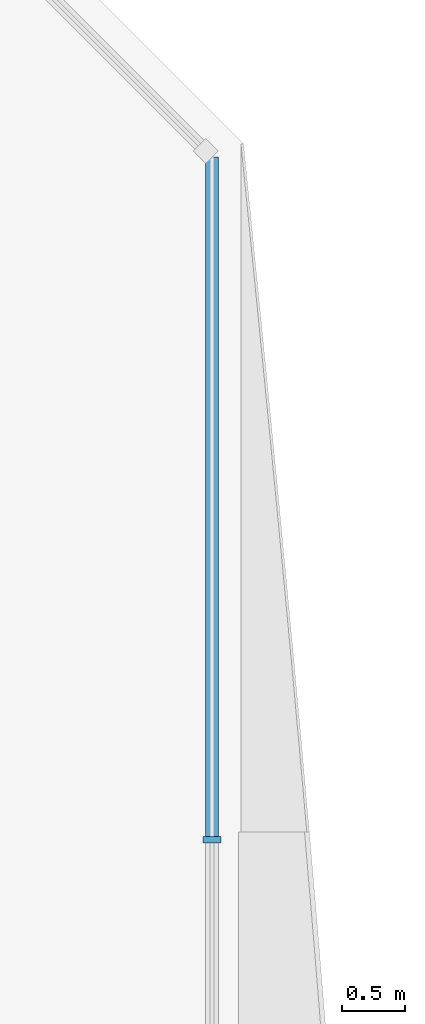
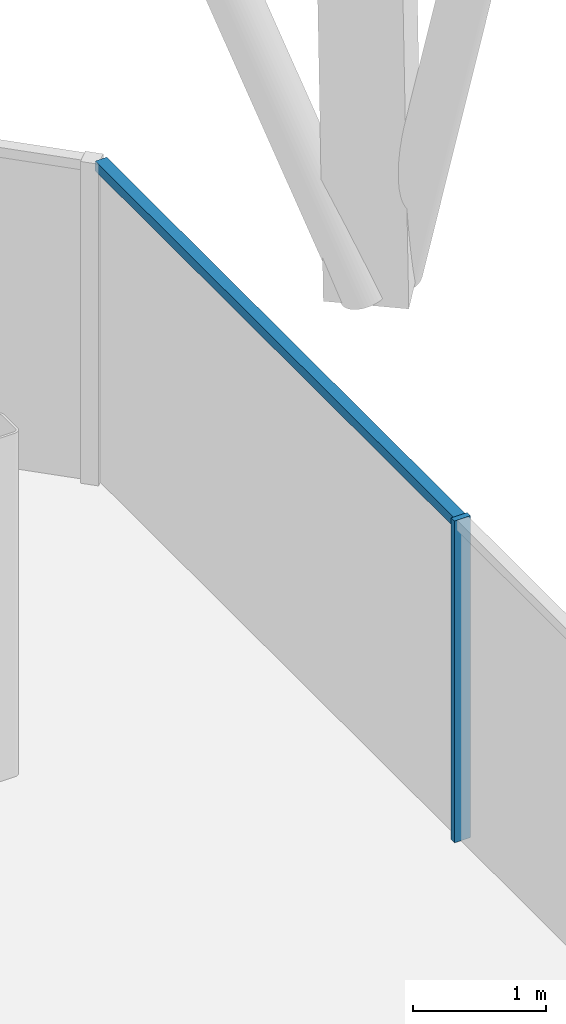
# One storey, part 8 of 18: 2 members, 1 element without a shape of its own.
"""IFC4 building model written with IfcOpenShell, lengths in metres."""

from ifc_helpers import new_model, si_unit, direction, frame, origin, origin_2d, place, context, subcontext, project, spatial, rectangle, extrude, material, material_profile, profile_set, type_object, element, aggregate, save


model = new_model("IFC4")

# Units and contexts
model_context = context("Model", 3, precision=1e-05, world=origin(), true_north=direction((0.0, 1.0)))
body_context = subcontext(model_context, "Body", "Model", "MODEL_VIEW")
ifc_project = project(units=[si_unit("LENGTHUNIT", "METRE"), si_unit("AREAUNIT", "SQUARE_METRE"), si_unit("VOLUMEUNIT", "CUBIC_METRE"), si_unit("PLANEANGLEUNIT", "RADIAN"), si_unit("MASSUNIT", "GRAM", prefix="KILO")], contexts=[model_context])

# Site, building, storey
site_placement = place(None, origin())
site = spatial("IfcSite", under=ifc_project, at=site_placement, CompositionType="ELEMENT")
building_placement = place(site_placement, origin())
building = spatial("IfcBuilding", under=site, at=building_placement, Name="Tskaro Facet Tower", CompositionType="ELEMENT")
storey_placement = place(building_placement, frame((0.0, 0.0, 217.199951171875)))
storey = spatial("IfcBuildingStorey", under=building, at=storey_placement, Name="L55", CompositionType="ELEMENT", Elevation=217.199951171875)

# Curtain wall, members
ifc_material = material(Name="Bronze anodised aluminium 6063-T6", Category="aluminium")
curtain_wall_type = type_object("IfcCurtainWallType", Name="Bronze residence curtain wall (FW3)", PredefinedType="NOTDEFINED", material=ifc_material)
curtain_wall_placement = place(storey_placement, origin())
curtain_wall = element("IfcCurtainWall", 1, at=curtain_wall_placement, inside=storey, type_object=curtain_wall_type, Name="FW3 east facet L55", PredefinedType="NOTDEFINED")
ifc_material_profile_1 = material_profile(ifc_material, rectangle(XDim=0.050048828125, YDim=0.139892578125, at=origin_2d()), Name="Mullion 50x140")
ifc_profile_set_1 = profile_set([ifc_material_profile_1], Name="Bronze anodised aluminium 6063-T6")
member_type_1 = type_object("IfcMemberType", Name="FW3 bronze mullion 50x140", PredefinedType="MULLION", material=ifc_profile_set_1)
member_1_placement = place(storey_placement, frame((15.985107421875, 6.2001953125, 0.0), z_axis=(0.0, 0.0, 1.0), x_axis=(0.0, 1.0, 0.0)))
member_1 = element("IfcMember", 2, at=member_1_placement, type_object=member_type_1, Name="FW3 east mullion 4", PredefinedType="MULLION", context=body_context, shape_type="SweptSolid", body=[
    extrude(rectangle(XDim=0.050048828125, YDim=0.139892578125, at=origin_2d()), origin(), (0.0, 0.0, 1.0), 2.949951171875),
])
ifc_material_profile_2 = material_profile(ifc_material, rectangle(XDim=0.10009765625, YDim=0.090087890625, at=origin_2d()), Name="Transom 100x90")
ifc_profile_set_2 = profile_set([ifc_material_profile_2], Name="Bronze anodised aluminium 6063-T6")
member_type_2 = type_object("IfcMemberType", Name="FW3 bronze transom 100x90", PredefinedType="USERDEFINED", material=ifc_profile_set_2)
member_2_placement = place(storey_placement, frame((15.985107421875, 6.22509765625, 2.905029296875), z_axis=(0.0, 1.0, 0.0), x_axis=(-1.0, 0.0, 0.0)))
member_2 = element("IfcMember", 3, at=member_2_placement, type_object=member_type_2, Name="FW3 east transom 5.1", ObjectType="TRANSOM", PredefinedType="USERDEFINED", context=body_context, shape_type="SweptSolid", body=[
    extrude(rectangle(XDim=0.10009765625, YDim=0.090087890625, at=origin_2d()), origin(), (0.0, 0.0, 1.0), 5.3837890625),
])
aggregate(curtain_wall, [member_1, member_2])

save(model, "model.ifc")
